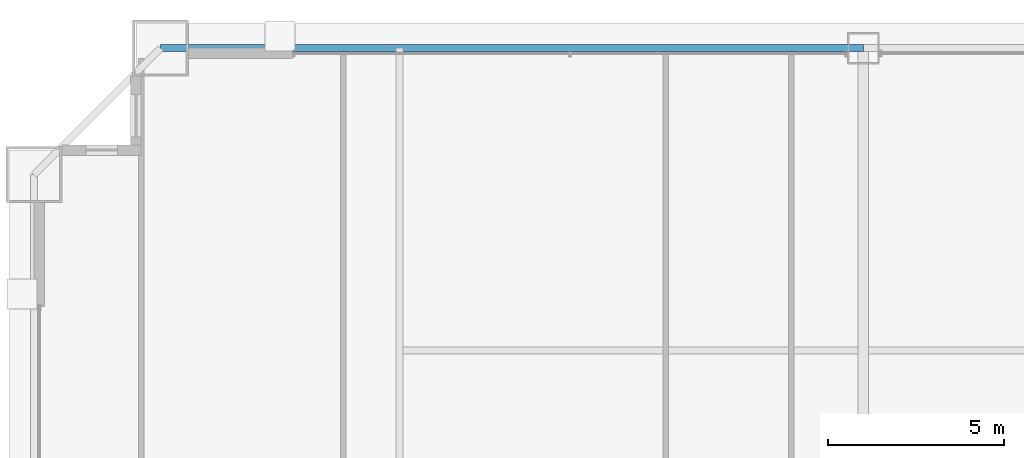
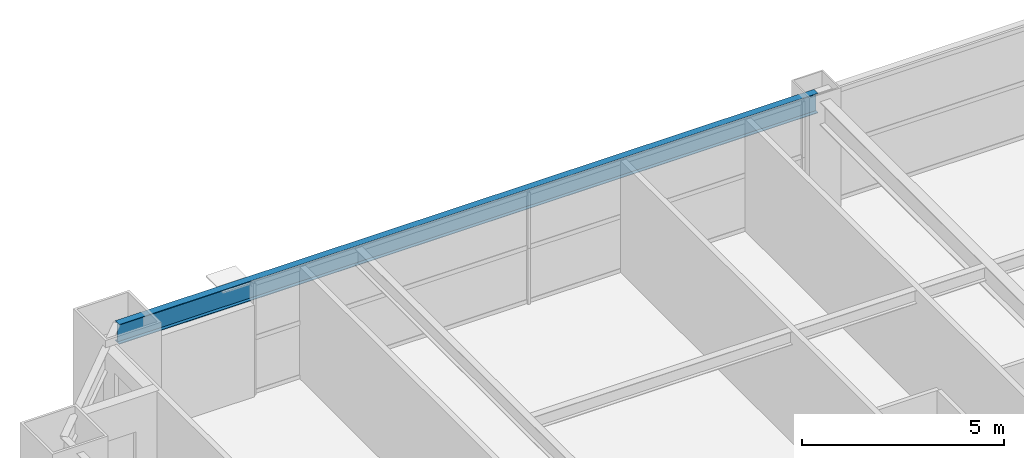
# One storey, part 23 of 38: 1 beam.
"""IFC4 building model written with IfcOpenShell, lengths in metres."""

from ifc_helpers import new_model, si_unit, direction, frame, origin, origin_2d, place, context, subcontext, project, spatial, i_section, extrude, source, transform, mapped, material, material_profile, profile_set, type_object, element, save


model = new_model("IFC4")

# Units and contexts
model_context = context("Model", 3, precision=1e-05, world=origin(), true_north=direction((0.0, 1.0)))
body_context = subcontext(model_context, "Body", "Model", "MODEL_VIEW")
ifc_project = project(units=[si_unit("LENGTHUNIT", "METRE"), si_unit("AREAUNIT", "SQUARE_METRE"), si_unit("VOLUMEUNIT", "CUBIC_METRE"), si_unit("PLANEANGLEUNIT", "RADIAN"), si_unit("MASSUNIT", "GRAM", prefix="KILO"), si_unit("THERMODYNAMICTEMPERATUREUNIT", "KELVIN"), si_unit("POWERUNIT", "WATT")], contexts=[model_context])

# Site, building, storey
site_placement = place(None, origin())
site = spatial("IfcSite", under=ifc_project, at=site_placement, CompositionType="ELEMENT")
building_placement = place(site_placement, origin())
building = spatial("IfcBuilding", under=site, at=building_placement, Name="Yuzanri Waterfront Tower", CompositionType="ELEMENT")
storey_placement = place(building_placement, frame((0.0, 0.0, 119.0)))
storey = spatial("IfcBuildingStorey", under=building, at=storey_placement, Name="L31", CompositionType="ELEMENT", Elevation=119.0)

# Beam
ifc_material = material(Name="Steel Q355B", Category="steel")
ifc_material_profile = material_profile(ifc_material, i_section(OverallWidth=0.199951171875, OverallDepth=0.60009765625, WebThickness=0.010986328125, FlangeThickness=0.01708984375, at=origin_2d()), Name="HN 600x200x11x17")
ifc_profile_set = profile_set([ifc_material_profile], Name="Steel Q355B")
beam_type = type_object("IfcBeamType", Name="Perimeter Spandrel Q355B HN 600x200", PredefinedType="SPANDREL", material=ifc_profile_set)
shared_shape = source(origin(), body_context, "Body", "SweptSolid", [
    extrude(i_section(OverallWidth=0.199951171875, OverallDepth=0.60009765625, WebThickness=0.010986328125, FlangeThickness=0.01708984375, at=origin_2d()), origin(), (0.0, 0.0, 1.0), 20.0),
])
beam_placement = place(storey_placement, frame((37.0, 49.39990234375, 3.080078125), z_axis=(-1.0, 0.0, 0.0), x_axis=(0.0, -1.0, 0.0)))
element("IfcBeam", 1, at=beam_placement, inside=storey, type_object=beam_type, Name="L31 Perimeter Spandrel N2-N1", PredefinedType="SPANDREL", context=body_context, shape_type="MappedRepresentation", body=[
    mapped(shared_shape, transform((0.0, 0.0, 0.0), scale=1.0)),
])

save(model, "model.ifc")
